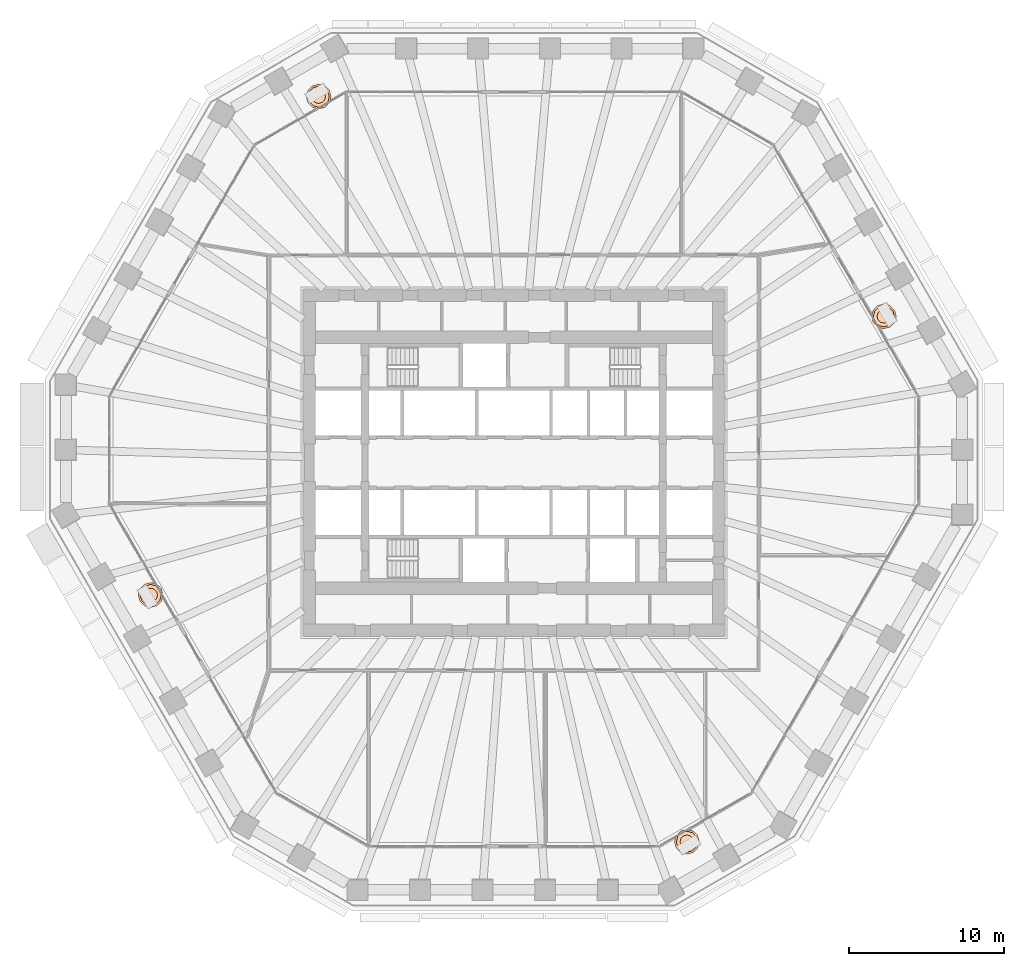
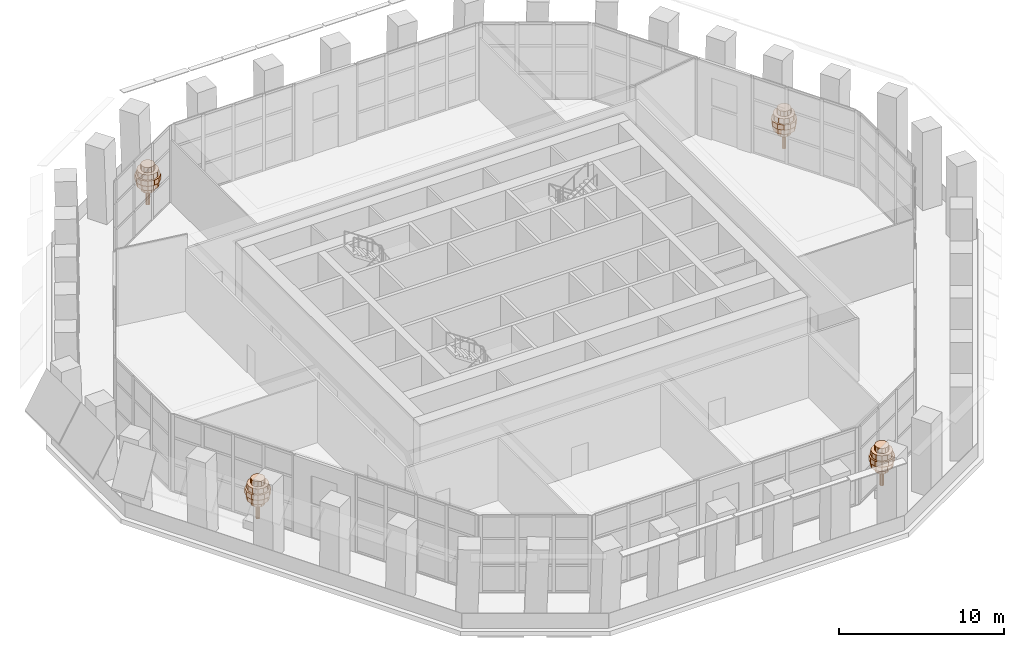
# One storey, part 22 of 22: 4 geographic elements.
"""IFC4 building model written with IfcOpenShell, lengths in metres."""

from ifc_helpers import new_model, si_unit, direction, frame, origin, place, context, subcontext, project, spatial, polyline, outline, extrude, material, type_object, element, save


model = new_model("IFC4")

# Units and contexts
model_context = context("Model", 3, precision=1e-05, world=origin(), true_north=direction((0.0, 1.0)))
body_context = subcontext(model_context, "Body", "Model", "MODEL_VIEW")
ifc_project = project(units=[si_unit("LENGTHUNIT", "METRE"), si_unit("AREAUNIT", "SQUARE_METRE"), si_unit("VOLUMEUNIT", "CUBIC_METRE"), si_unit("PLANEANGLEUNIT", "RADIAN"), si_unit("MASSUNIT", "GRAM", prefix="KILO")], contexts=[model_context])

# Site, building, storey
site_placement = place(None, origin())
site = spatial("IfcSite", under=ifc_project, at=site_placement, CompositionType="ELEMENT")
building_placement = place(site_placement, origin())
building = spatial("IfcBuilding", under=site, at=building_placement, Name="Frailejon Research Tower", CompositionType="ELEMENT")
storey_placement = place(building_placement, frame((0.0, 0.0, 107.199951171875)))
storey = spatial("IfcBuildingStorey", under=building, at=storey_placement, Name="L23", CompositionType="ELEMENT", Elevation=107.199951171875)

# Geographic elements
ifc_material = material(Name="Foliage, green")
geographic_element_type = type_object("IfcGeographicElementType", Name="Frailejon tree, loggia", PredefinedType="USERDEFINED", material=ifc_material)
geographic_element_1_placement = place(storey_placement, frame((23.85498046875, 9.44140625, 0.60009765625)))
element("IfcGeographicElement", 1, at=geographic_element_1_placement, inside=storey, type_object=geographic_element_type, Name="Tree L23", ObjectType="TREE", PredefinedType="USERDEFINED", context=body_context, shape_type="SweptSolid", body=[
    extrude(outline(polyline([(0.1298828125, 0.0), (0.112548828125, 0.06494140625), (0.06494140625, 0.112548828125), (0.0, 0.1298828125), (-0.06494140625, 0.112548828125), (-0.112548828125, 0.06494140625), (-0.1298828125, 0.0), (-0.112548828125, -0.06494140625), (-0.06494140625, -0.112548828125), (0.0, -0.1298828125), (0.06494140625, -0.112548828125), (0.112548828125, -0.06494140625), (0.1298828125, 0.0)])), origin(), (0.0, 0.0, 1.0), 2.239990234375),
    extrude(outline(polyline([(0.43994140625, 0.0), (0.381103515625, 0.219970703125), (0.219970703125, 0.381103515625), (0.0, 0.43994140625), (-0.219970703125, 0.381103515625), (-0.381103515625, 0.219970703125), (-0.43994140625, 0.0), (-0.381103515625, -0.219970703125), (-0.219970703125, -0.381103515625), (0.0, -0.43994140625), (0.219970703125, -0.381103515625), (0.381103515625, -0.219970703125), (0.43994140625, 0.0)])), frame((0.0, 0.0, 1.10009765625)), (0.0, 0.0, 1.0), 0.3798828125),
    extrude(outline(polyline([(0.719970703125, 0.0), (0.62353515625, 0.360107421875), (0.360107421875, 0.62353515625), (0.0, 0.719970703125), (-0.360107421875, 0.62353515625), (-0.62353515625, 0.360107421875), (-0.719970703125, 0.0), (-0.62353515625, -0.360107421875), (-0.360107421875, -0.62353515625), (0.0, -0.719970703125), (0.360107421875, -0.62353515625), (0.62353515625, -0.360107421875), (0.719970703125, 0.0)])), frame((0.0, 0.0, 1.47998046875)), (0.0, 0.0, 1.0), 0.3798828125),
    extrude(outline(polyline([(0.800048828125, 0.0), (0.69287109375, 0.39990234375), (0.39990234375, 0.69287109375), (0.0, 0.800048828125), (-0.39990234375, 0.69287109375), (-0.69287109375, 0.39990234375), (-0.800048828125, 0.0), (-0.69287109375, -0.39990234375), (-0.39990234375, -0.69287109375), (0.0, -0.800048828125), (0.39990234375, -0.69287109375), (0.69287109375, -0.39990234375), (0.800048828125, 0.0)])), frame((0.0, 0.0, 1.860107421875)), (0.0, 0.0, 1.0), 0.3798828125),
    extrude(outline(polyline([(0.679931640625, 0.0), (0.5888671875, 0.340087890625), (0.340087890625, 0.5888671875), (0.0, 0.679931640625), (-0.340087890625, 0.5888671875), (-0.5888671875, 0.340087890625), (-0.679931640625, 0.0), (-0.5888671875, -0.340087890625), (-0.340087890625, -0.5888671875), (0.0, -0.679931640625), (0.340087890625, -0.5888671875), (0.5888671875, -0.340087890625), (0.679931640625, 0.0)])), frame((0.0, 0.0, 2.239990234375)), (0.0, 0.0, 1.0), 0.3798828125),
    extrude(outline(polyline([(0.43994140625, 0.0), (0.381103515625, 0.219970703125), (0.219970703125, 0.381103515625), (0.0, 0.43994140625), (-0.219970703125, 0.381103515625), (-0.381103515625, 0.219970703125), (-0.43994140625, 0.0), (-0.381103515625, -0.219970703125), (-0.219970703125, -0.381103515625), (0.0, -0.43994140625), (0.219970703125, -0.381103515625), (0.381103515625, -0.219970703125), (0.43994140625, 0.0)])), frame((0.0, 0.0, 2.6201171875)), (0.0, 0.0, 1.0), 0.3798828125),
])
geographic_element_2_placement = place(storey_placement, frame((-12.58935546875, 23.6103515625, 0.60009765625)))
element("IfcGeographicElement", 2, at=geographic_element_2_placement, inside=storey, type_object=geographic_element_type, Name="Tree L23", ObjectType="TREE", PredefinedType="USERDEFINED", context=body_context, shape_type="SweptSolid", body=[
    extrude(outline(polyline([(0.1298828125, 0.0), (0.112548828125, 0.06494140625), (0.06494140625, 0.112548828125), (0.0, 0.1298828125), (-0.06494140625, 0.112548828125), (-0.112548828125, 0.06494140625), (-0.1298828125, 0.0), (-0.112548828125, -0.06494140625), (-0.06494140625, -0.112548828125), (0.0, -0.1298828125), (0.06494140625, -0.112548828125), (0.112548828125, -0.06494140625), (0.1298828125, 0.0)])), origin(), (0.0, 0.0, 1.0), 2.239990234375),
    extrude(outline(polyline([(0.43994140625, 0.0), (0.381103515625, 0.219970703125), (0.219970703125, 0.381103515625), (0.0, 0.43994140625), (-0.219970703125, 0.381103515625), (-0.381103515625, 0.219970703125), (-0.43994140625, 0.0), (-0.381103515625, -0.219970703125), (-0.219970703125, -0.381103515625), (0.0, -0.43994140625), (0.219970703125, -0.381103515625), (0.381103515625, -0.219970703125), (0.43994140625, 0.0)])), frame((0.0, 0.0, 1.10009765625)), (0.0, 0.0, 1.0), 0.3798828125),
    extrude(outline(polyline([(0.719970703125, 0.0), (0.62353515625, 0.360107421875), (0.360107421875, 0.62353515625), (0.0, 0.719970703125), (-0.360107421875, 0.62353515625), (-0.62353515625, 0.360107421875), (-0.719970703125, 0.0), (-0.62353515625, -0.360107421875), (-0.360107421875, -0.62353515625), (0.0, -0.719970703125), (0.360107421875, -0.62353515625), (0.62353515625, -0.360107421875), (0.719970703125, 0.0)])), frame((0.0, 0.0, 1.47998046875)), (0.0, 0.0, 1.0), 0.3798828125),
    extrude(outline(polyline([(0.800048828125, 0.0), (0.69287109375, 0.39990234375), (0.39990234375, 0.69287109375), (0.0, 0.800048828125), (-0.39990234375, 0.69287109375), (-0.69287109375, 0.39990234375), (-0.800048828125, 0.0), (-0.69287109375, -0.39990234375), (-0.39990234375, -0.69287109375), (0.0, -0.800048828125), (0.39990234375, -0.69287109375), (0.69287109375, -0.39990234375), (0.800048828125, 0.0)])), frame((0.0, 0.0, 1.860107421875)), (0.0, 0.0, 1.0), 0.3798828125),
    extrude(outline(polyline([(0.679931640625, 0.0), (0.5888671875, 0.340087890625), (0.340087890625, 0.5888671875), (0.0, 0.679931640625), (-0.340087890625, 0.5888671875), (-0.5888671875, 0.340087890625), (-0.679931640625, 0.0), (-0.5888671875, -0.340087890625), (-0.340087890625, -0.5888671875), (0.0, -0.679931640625), (0.340087890625, -0.5888671875), (0.5888671875, -0.340087890625), (0.679931640625, 0.0)])), frame((0.0, 0.0, 2.239990234375)), (0.0, 0.0, 1.0), 0.3798828125),
    extrude(outline(polyline([(0.43994140625, 0.0), (0.381103515625, 0.219970703125), (0.219970703125, 0.381103515625), (0.0, 0.43994140625), (-0.219970703125, 0.381103515625), (-0.381103515625, 0.219970703125), (-0.43994140625, 0.0), (-0.381103515625, -0.219970703125), (-0.219970703125, -0.381103515625), (0.0, -0.43994140625), (0.219970703125, -0.381103515625), (0.381103515625, -0.219970703125), (0.43994140625, 0.0)])), frame((0.0, 0.0, 2.6201171875)), (0.0, 0.0, 1.0), 0.3798828125),
])
geographic_element_3_placement = place(storey_placement, frame((-23.423828125, -8.52880859375, 0.60009765625)))
element("IfcGeographicElement", 3, at=geographic_element_3_placement, inside=storey, type_object=geographic_element_type, Name="Tree L23", ObjectType="TREE", PredefinedType="USERDEFINED", context=body_context, shape_type="SweptSolid", body=[
    extrude(outline(polyline([(0.1298828125, 0.0), (0.112548828125, 0.06494140625), (0.06494140625, 0.112548828125), (0.0, 0.1298828125), (-0.06494140625, 0.112548828125), (-0.112548828125, 0.06494140625), (-0.1298828125, 0.0), (-0.112548828125, -0.06494140625), (-0.06494140625, -0.112548828125), (0.0, -0.1298828125), (0.06494140625, -0.112548828125), (0.112548828125, -0.06494140625), (0.1298828125, 0.0)])), origin(), (0.0, 0.0, 1.0), 2.239990234375),
    extrude(outline(polyline([(0.43994140625, 0.0), (0.381103515625, 0.219970703125), (0.219970703125, 0.381103515625), (0.0, 0.43994140625), (-0.219970703125, 0.381103515625), (-0.381103515625, 0.219970703125), (-0.43994140625, 0.0), (-0.381103515625, -0.219970703125), (-0.219970703125, -0.381103515625), (0.0, -0.43994140625), (0.219970703125, -0.381103515625), (0.381103515625, -0.219970703125), (0.43994140625, 0.0)])), frame((0.0, 0.0, 1.10009765625)), (0.0, 0.0, 1.0), 0.3798828125),
    extrude(outline(polyline([(0.719970703125, 0.0), (0.62353515625, 0.360107421875), (0.360107421875, 0.62353515625), (0.0, 0.719970703125), (-0.360107421875, 0.62353515625), (-0.62353515625, 0.360107421875), (-0.719970703125, 0.0), (-0.62353515625, -0.360107421875), (-0.360107421875, -0.62353515625), (0.0, -0.719970703125), (0.360107421875, -0.62353515625), (0.62353515625, -0.360107421875), (0.719970703125, 0.0)])), frame((0.0, 0.0, 1.47998046875)), (0.0, 0.0, 1.0), 0.3798828125),
    extrude(outline(polyline([(0.800048828125, 0.0), (0.69287109375, 0.39990234375), (0.39990234375, 0.69287109375), (0.0, 0.800048828125), (-0.39990234375, 0.69287109375), (-0.69287109375, 0.39990234375), (-0.800048828125, 0.0), (-0.69287109375, -0.39990234375), (-0.39990234375, -0.69287109375), (0.0, -0.800048828125), (0.39990234375, -0.69287109375), (0.69287109375, -0.39990234375), (0.800048828125, 0.0)])), frame((0.0, 0.0, 1.860107421875)), (0.0, 0.0, 1.0), 0.3798828125),
    extrude(outline(polyline([(0.679931640625, 0.0), (0.5888671875, 0.340087890625), (0.340087890625, 0.5888671875), (0.0, 0.679931640625), (-0.340087890625, 0.5888671875), (-0.5888671875, 0.340087890625), (-0.679931640625, 0.0), (-0.5888671875, -0.340087890625), (-0.340087890625, -0.5888671875), (0.0, -0.679931640625), (0.340087890625, -0.5888671875), (0.5888671875, -0.340087890625), (0.679931640625, 0.0)])), frame((0.0, 0.0, 2.239990234375)), (0.0, 0.0, 1.0), 0.3798828125),
    extrude(outline(polyline([(0.43994140625, 0.0), (0.381103515625, 0.219970703125), (0.219970703125, 0.381103515625), (0.0, 0.43994140625), (-0.219970703125, 0.381103515625), (-0.381103515625, 0.219970703125), (-0.43994140625, 0.0), (-0.381103515625, -0.219970703125), (-0.219970703125, -0.381103515625), (0.0, -0.43994140625), (0.219970703125, -0.381103515625), (0.381103515625, -0.219970703125), (0.43994140625, 0.0)])), frame((0.0, 0.0, 2.6201171875)), (0.0, 0.0, 1.0), 0.3798828125),
])
geographic_element_4_placement = place(storey_placement, frame((11.15234375, -24.43994140625, 0.60009765625)))
element("IfcGeographicElement", 4, at=geographic_element_4_placement, inside=storey, type_object=geographic_element_type, Name="Tree L23", ObjectType="TREE", PredefinedType="USERDEFINED", context=body_context, shape_type="SweptSolid", body=[
    extrude(outline(polyline([(0.1298828125, 0.0), (0.112548828125, 0.06494140625), (0.06494140625, 0.112548828125), (0.0, 0.1298828125), (-0.06494140625, 0.112548828125), (-0.112548828125, 0.06494140625), (-0.1298828125, 0.0), (-0.112548828125, -0.06494140625), (-0.06494140625, -0.112548828125), (0.0, -0.1298828125), (0.06494140625, -0.112548828125), (0.112548828125, -0.06494140625), (0.1298828125, 0.0)])), origin(), (0.0, 0.0, 1.0), 2.239990234375),
    extrude(outline(polyline([(0.43994140625, 0.0), (0.381103515625, 0.219970703125), (0.219970703125, 0.381103515625), (0.0, 0.43994140625), (-0.219970703125, 0.381103515625), (-0.381103515625, 0.219970703125), (-0.43994140625, 0.0), (-0.381103515625, -0.219970703125), (-0.219970703125, -0.381103515625), (0.0, -0.43994140625), (0.219970703125, -0.381103515625), (0.381103515625, -0.219970703125), (0.43994140625, 0.0)])), frame((0.0, 0.0, 1.10009765625)), (0.0, 0.0, 1.0), 0.3798828125),
    extrude(outline(polyline([(0.719970703125, 0.0), (0.62353515625, 0.360107421875), (0.360107421875, 0.62353515625), (0.0, 0.719970703125), (-0.360107421875, 0.62353515625), (-0.62353515625, 0.360107421875), (-0.719970703125, 0.0), (-0.62353515625, -0.360107421875), (-0.360107421875, -0.62353515625), (0.0, -0.719970703125), (0.360107421875, -0.62353515625), (0.62353515625, -0.360107421875), (0.719970703125, 0.0)])), frame((0.0, 0.0, 1.47998046875)), (0.0, 0.0, 1.0), 0.3798828125),
    extrude(outline(polyline([(0.800048828125, 0.0), (0.69287109375, 0.39990234375), (0.39990234375, 0.69287109375), (0.0, 0.800048828125), (-0.39990234375, 0.69287109375), (-0.69287109375, 0.39990234375), (-0.800048828125, 0.0), (-0.69287109375, -0.39990234375), (-0.39990234375, -0.69287109375), (0.0, -0.800048828125), (0.39990234375, -0.69287109375), (0.69287109375, -0.39990234375), (0.800048828125, 0.0)])), frame((0.0, 0.0, 1.860107421875)), (0.0, 0.0, 1.0), 0.3798828125),
    extrude(outline(polyline([(0.679931640625, 0.0), (0.5888671875, 0.340087890625), (0.340087890625, 0.5888671875), (0.0, 0.679931640625), (-0.340087890625, 0.5888671875), (-0.5888671875, 0.340087890625), (-0.679931640625, 0.0), (-0.5888671875, -0.340087890625), (-0.340087890625, -0.5888671875), (0.0, -0.679931640625), (0.340087890625, -0.5888671875), (0.5888671875, -0.340087890625), (0.679931640625, 0.0)])), frame((0.0, 0.0, 2.239990234375)), (0.0, 0.0, 1.0), 0.3798828125),
    extrude(outline(polyline([(0.43994140625, 0.0), (0.381103515625, 0.219970703125), (0.219970703125, 0.381103515625), (0.0, 0.43994140625), (-0.219970703125, 0.381103515625), (-0.381103515625, 0.219970703125), (-0.43994140625, 0.0), (-0.381103515625, -0.219970703125), (-0.219970703125, -0.381103515625), (0.0, -0.43994140625), (0.219970703125, -0.381103515625), (0.381103515625, -0.219970703125), (0.43994140625, 0.0)])), frame((0.0, 0.0, 2.6201171875)), (0.0, 0.0, 1.0), 0.3798828125),
])

save(model, "model.ifc")
